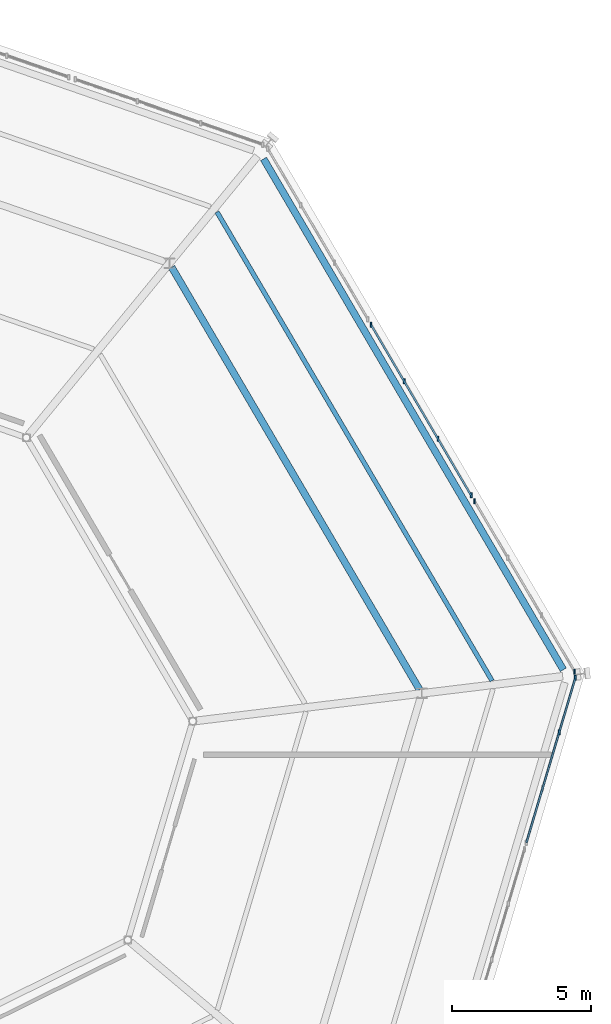
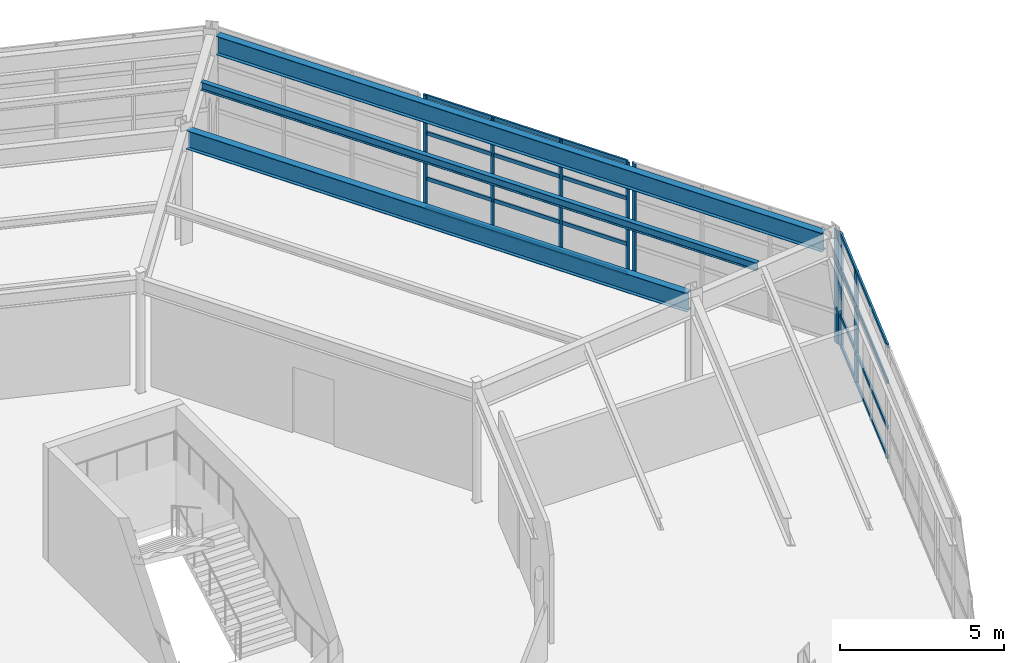
# One storey, part 47 of 88: 16 members, 3 beams, 3 elements without a shape of their own.
"""IFC4 building model written with IfcOpenShell, lengths in metres."""

from ifc_helpers import new_model, si_unit, direction, frame, origin, origin_2d, place, context, subcontext, project, spatial, rectangle, i_section, extrude, material, material_profile, profile_set, type_object, element, aggregate, save


model = new_model("IFC4")

# Units and contexts
model_context = context("Model", 3, precision=1e-05, world=origin(), true_north=direction((0.0, 1.0)))
body_context = subcontext(model_context, "Body", "Model", "MODEL_VIEW")
ifc_project = project(units=[si_unit("LENGTHUNIT", "METRE"), si_unit("AREAUNIT", "SQUARE_METRE"), si_unit("VOLUMEUNIT", "CUBIC_METRE"), si_unit("PLANEANGLEUNIT", "RADIAN"), si_unit("MASSUNIT", "GRAM", prefix="KILO")], contexts=[model_context])

# Site, building, storey
site_placement = place(None, origin())
site = spatial("IfcSite", under=ifc_project, at=site_placement, CompositionType="ELEMENT")
building_placement = place(site_placement, origin())
building = spatial("IfcBuilding", under=site, at=building_placement, Name="Sarnbrook Museum", CompositionType="ELEMENT")
storey_placement = place(building_placement, frame((0.0, 0.0, 10.10009765625)))
storey = spatial("IfcBuildingStorey", under=building, at=storey_placement, Name="L02", CompositionType="ELEMENT", Elevation=10.10009765625)

# Beams
ifc_material_1 = material(Name="Structural Steel Grade 350L0 (AS/NZS 3678, fy = 340 MPa for 20 < t <= 40 mm)", Category="steel")
ifc_material_profile_1 = material_profile(ifc_material_1, i_section(OverallWidth=0.25, OverallDepth=0.699951171875, WebThickness=0.010009765625, FlangeThickness=0.01611328125, at=origin_2d()), Name="700WB130")
ifc_profile_set_1 = profile_set([ifc_material_profile_1], Name="Structural Steel Grade 350L0 (AS/NZS 3678, fy = 340 MPa for 20 < t <= 40 mm)")
beam_type_1 = type_object("IfcBeamType", Name="BM-WB700", PredefinedType="BEAM", material=ifc_profile_set_1)
beam_1_placement = place(storey_placement, frame((167.691162109375, 88.059814453125, 3.889892578125), z_axis=(-0.506066405953, 0.862494517528, 0.0), x_axis=(-0.862494517528, -0.506066405953, 0.0)))
element("IfcBeam", 1, at=beam_1_placement, inside=storey, type_object=beam_type_1, Name="Crystal Hall Perimeter Ring Girder 4 L02", PredefinedType="BEAM", context=body_context, shape_type="SweptSolid", body=[
    extrude(i_section(OverallWidth=0.25, OverallDepth=0.699951171875, WebThickness=0.010009765625, FlangeThickness=0.01611328125, at=origin_2d()), origin(), (0.0, 0.0, 1.0), 21.273681640625),
])
beam_2_placement = place(storey_placement, frame((162.52587890625, 87.348388671875, 3.889892578125), z_axis=(-0.506057154474, 0.862499945743, 0.0), x_axis=(-0.862499945743, -0.506057154474, 0.0)))
element("IfcBeam", 2, at=beam_2_placement, inside=storey, type_object=beam_type_1, Name="Crystal Hall R1 Ring Girder 4 L02", PredefinedType="BEAM", context=body_context, shape_type="SweptSolid", body=[
    extrude(i_section(OverallWidth=0.25, OverallDepth=0.699951171875, WebThickness=0.010009765625, FlangeThickness=0.01611328125, at=origin_2d()), origin(), (0.0, 0.0, 1.0), 17.589111328125),
])

# Curtain wall, members
ifc_material_2 = material(Name="Thermally Broken Anodised Aluminium 6063-T6", Category="aluminium")
curtain_wall_type = type_object("IfcCurtainWallType", Name="CurtainWall_CrystalFacet", PredefinedType="NOTDEFINED", material=ifc_material_2)
curtain_wall_1_placement = place(storey_placement, origin())
curtain_wall_1 = element("IfcCurtainWall", 3, at=curtain_wall_1_placement, inside=storey, type_object=curtain_wall_type, Name="Crystal Hall Facet Curtain Wall L02-F3.3", PredefinedType="NOTDEFINED")
ifc_material_profile_2 = material_profile(ifc_material_2, rectangle(XDim=0.06494140625, YDim=0.179931640625, at=origin_2d()), Name="ALU MULLION 65x180")
ifc_profile_set_2 = profile_set([ifc_material_profile_2], Name="Thermally Broken Anodised Aluminium 6063-T6")
member_type_1 = type_object("IfcMemberType", Name="CW_Mullion_180x75", PredefinedType="MULLION", material=ifc_profile_set_2)
member_1_placement = place(storey_placement, frame((167.5400390625, 85.80712890625, 0.0), z_axis=(0.0, 0.0, 1.0), x_axis=(1.0, 0.0, 0.0)))
member_1 = element("IfcMember", 4, at=member_1_placement, type_object=member_type_1, Name="Crystal Hall Facet Curtain Wall L02-F3.3 Mullion 3", PredefinedType="MULLION", context=body_context, shape_type="SweptSolid", body=[
    extrude(rectangle(XDim=0.06494140625, YDim=0.179931640625, at=origin_2d()), origin(), (0.0, 0.0, 1.0), 4.239990234375),
])
member_2_placement = place(storey_placement, frame((168.122802734375, 87.770263671875, 0.0), z_axis=(0.0, 0.0, 1.0), x_axis=(1.0, 0.0, 0.0)))
member_2 = element("IfcMember", 5, at=member_2_placement, type_object=member_type_1, Name="Crystal Hall Facet Curtain Wall L02-F3.3 Mullion 4", PredefinedType="MULLION", context=body_context, shape_type="SweptSolid", body=[
    extrude(rectangle(XDim=0.06494140625, YDim=0.179931640625, at=origin_2d()), origin(), (0.0, 0.0, 1.0), 4.239990234375),
])

curtain_wall_2_placement = place(storey_placement, origin())
curtain_wall_2 = element("IfcCurtainWall", 6, at=curtain_wall_2_placement, inside=storey, type_object=curtain_wall_type, Name="Crystal Hall Facet Curtain Wall L02-F4.1", PredefinedType="NOTDEFINED")
member_3_placement = place(storey_placement, frame((168.09619140625, 87.98876953125, 0.0), z_axis=(0.0, 0.0, 1.0), x_axis=(1.0, 0.0, 0.0)))
member_3 = element("IfcMember", 7, at=member_3_placement, type_object=member_type_1, Name="Crystal Hall Facet Curtain Wall L02-F4.1 Mullion 1", PredefinedType="MULLION", context=body_context, shape_type="SweptSolid", body=[
    extrude(rectangle(XDim=0.06494140625, YDim=0.179931640625, at=origin_2d()), origin(), (0.0, 0.0, 1.0), 4.239990234375),
])
member_4_placement = place(storey_placement, frame((164.502197265625, 94.114013671875, 0.0), z_axis=(0.0, 0.0, 1.0), x_axis=(1.0, 0.0, 0.0)))
member_4 = element("IfcMember", 8, at=member_4_placement, type_object=member_type_1, Name="Crystal Hall Facet Curtain Wall L02-F4.1 Mullion 4", PredefinedType="MULLION", context=body_context, shape_type="SweptSolid", body=[
    extrude(rectangle(XDim=0.06494140625, YDim=0.179931640625, at=origin_2d()), origin(), (0.0, 0.0, 1.0), 4.239990234375),
])
aggregate(curtain_wall_2, [member_3, member_4])

curtain_wall_3_placement = place(storey_placement, origin())
curtain_wall_3 = element("IfcCurtainWall", 9, at=curtain_wall_3_placement, inside=storey, type_object=curtain_wall_type, Name="Crystal Hall Facet Curtain Wall L02-F4.2", PredefinedType="NOTDEFINED")
member_5_placement = place(storey_placement, frame((164.380859375, 94.321044921875, 0.0), z_axis=(0.0, 0.0, 1.0), x_axis=(1.0, 0.0, 0.0)))
member_5 = element("IfcMember", 10, at=member_5_placement, type_object=member_type_1, Name="Crystal Hall Facet Curtain Wall L02-F4.2 Mullion 1", PredefinedType="MULLION", context=body_context, shape_type="SweptSolid", body=[
    extrude(rectangle(XDim=0.06494140625, YDim=0.179931640625, at=origin_2d()), origin(), (0.0, 0.0, 1.0), 4.239990234375),
])
member_6_placement = place(storey_placement, frame((163.189697265625, 96.351318359375, 0.0), z_axis=(0.0, 0.0, 1.0), x_axis=(1.0, 0.0, 0.0)))
member_6 = element("IfcMember", 11, at=member_6_placement, type_object=member_type_1, Name="Crystal Hall Facet Curtain Wall L02-F4.2 Mullion 2", PredefinedType="MULLION", context=body_context, shape_type="SweptSolid", body=[
    extrude(rectangle(XDim=0.06494140625, YDim=0.179931640625, at=origin_2d()), origin(), (0.0, 0.0, 1.0), 4.239990234375),
])
member_7_placement = place(storey_placement, frame((161.97802734375, 98.416015625, 0.0), z_axis=(0.0, 0.0, 1.0), x_axis=(1.0, 0.0, 0.0)))
member_7 = element("IfcMember", 12, at=member_7_placement, type_object=member_type_1, Name="Crystal Hall Facet Curtain Wall L02-F4.2 Mullion 3", PredefinedType="MULLION", context=body_context, shape_type="SweptSolid", body=[
    extrude(rectangle(XDim=0.06494140625, YDim=0.179931640625, at=origin_2d()), origin(), (0.0, 0.0, 1.0), 4.239990234375),
])
member_8_placement = place(storey_placement, frame((160.786865234375, 100.4462890625, 0.0), z_axis=(0.0, 0.0, 1.0), x_axis=(1.0, 0.0, 0.0)))
member_8 = element("IfcMember", 13, at=member_8_placement, type_object=member_type_1, Name="Crystal Hall Facet Curtain Wall L02-F4.2 Mullion 4", PredefinedType="MULLION", context=body_context, shape_type="SweptSolid", body=[
    extrude(rectangle(XDim=0.06494140625, YDim=0.179931640625, at=origin_2d()), origin(), (0.0, 0.0, 1.0), 4.239990234375),
])

# Member
ifc_material_profile_3 = material_profile(ifc_material_2, rectangle(XDim=0.06494140625, YDim=0.139892578125, at=origin_2d()), Name="ALU TRANSOM 65x140")
ifc_profile_set_3 = profile_set([ifc_material_profile_3], Name="Thermally Broken Anodised Aluminium 6063-T6")
member_type_2 = type_object("IfcMemberType", Name="CW_Transom_150x65", PredefinedType="USERDEFINED", material=ifc_profile_set_3)
member_9_placement = place(storey_placement, frame((166.36572265625, 81.852294921875, 0.039794921875), z_axis=(0.284610233245, 0.958643320079, 0.0), x_axis=(-0.958643320079, 0.284610233245, 0.0)))
member_9 = element("IfcMember", 14, at=member_9_placement, type_object=member_type_2, Name="Crystal Hall Facet Curtain Wall L02-F3.3 Transom 1", ObjectType="TRANSOM", PredefinedType="USERDEFINED", context=body_context, shape_type="SweptSolid", body=[
    extrude(rectangle(XDim=0.06494140625, YDim=0.139892578125, at=origin_2d()), origin(), (0.0, 0.0, 1.0), 6.163330078125),
])

member_10_placement = place(storey_placement, frame((166.36572265625, 81.852294921875, 1.14990234375), z_axis=(0.284610233245, 0.958643320079, 0.0), x_axis=(-0.958643320079, 0.284610233245, 0.0)))
member_10 = element("IfcMember", 15, at=member_10_placement, type_object=member_type_2, Name="Crystal Hall Facet Curtain Wall L02-F3.3 Transom 2", ObjectType="TRANSOM", PredefinedType="USERDEFINED", context=body_context, shape_type="SweptSolid", body=[
    extrude(rectangle(XDim=0.06494140625, YDim=0.139892578125, at=origin_2d()), origin(), (0.0, 0.0, 1.0), 6.163330078125),
])

member_11_placement = place(storey_placement, frame((166.36572265625, 81.852294921875, 2.849853515625), z_axis=(0.284610233245, 0.958643320079, 0.0), x_axis=(-0.958643320079, 0.284610233245, 0.0)))
member_11 = element("IfcMember", 16, at=member_11_placement, type_object=member_type_2, Name="Crystal Hall Facet Curtain Wall L02-F3.3 Transom 3", ObjectType="TRANSOM", PredefinedType="USERDEFINED", context=body_context, shape_type="SweptSolid", body=[
    extrude(rectangle(XDim=0.06494140625, YDim=0.139892578125, at=origin_2d()), origin(), (0.0, 0.0, 1.0), 6.163330078125),
])

member_12_placement = place(storey_placement, frame((166.36572265625, 81.852294921875, 4.199951171875), z_axis=(0.284610233245, 0.958643320079, 0.0), x_axis=(-0.958643320079, 0.284610233245, 0.0)))
member_12 = element("IfcMember", 17, at=member_12_placement, type_object=member_type_2, Name="Crystal Hall Facet Curtain Wall L02-F3.3 Transom 4", ObjectType="TRANSOM", PredefinedType="USERDEFINED", context=body_context, shape_type="SweptSolid", body=[
    extrude(rectangle(XDim=0.06494140625, YDim=0.139892578125, at=origin_2d()), origin(), (0.0, 0.0, 1.0), 6.163330078125),
])

aggregate(curtain_wall_1, [member_1, member_2, member_9, member_10, member_11, member_12])

member_13_placement = place(storey_placement, frame((164.375732421875, 94.32958984375, 0.039794921875), z_axis=(-0.506060092651, 0.86249822181, 0.0), x_axis=(-0.86249822181, -0.506060092651, 0.0)))
member_13 = element("IfcMember", 18, at=member_13_placement, type_object=member_type_2, Name="Crystal Hall Facet Curtain Wall L02-F4.2 Transom 1", ObjectType="TRANSOM", PredefinedType="USERDEFINED", context=body_context, shape_type="SweptSolid", body=[
    extrude(rectangle(XDim=0.06494140625, YDim=0.139892578125, at=origin_2d()), origin(), (0.0, 0.0, 1.0), 7.08154296875),
])

member_14_placement = place(storey_placement, frame((164.375732421875, 94.32958984375, 1.14990234375), z_axis=(-0.506060092651, 0.86249822181, 0.0), x_axis=(-0.86249822181, -0.506060092651, 0.0)))
member_14 = element("IfcMember", 19, at=member_14_placement, type_object=member_type_2, Name="Crystal Hall Facet Curtain Wall L02-F4.2 Transom 2", ObjectType="TRANSOM", PredefinedType="USERDEFINED", context=body_context, shape_type="SweptSolid", body=[
    extrude(rectangle(XDim=0.06494140625, YDim=0.139892578125, at=origin_2d()), origin(), (0.0, 0.0, 1.0), 7.08154296875),
])

member_15_placement = place(storey_placement, frame((164.375732421875, 94.32958984375, 2.849853515625), z_axis=(-0.506060092651, 0.86249822181, 0.0), x_axis=(-0.86249822181, -0.506060092651, 0.0)))
member_15 = element("IfcMember", 20, at=member_15_placement, type_object=member_type_2, Name="Crystal Hall Facet Curtain Wall L02-F4.2 Transom 3", ObjectType="TRANSOM", PredefinedType="USERDEFINED", context=body_context, shape_type="SweptSolid", body=[
    extrude(rectangle(XDim=0.06494140625, YDim=0.139892578125, at=origin_2d()), origin(), (0.0, 0.0, 1.0), 7.08154296875),
])

member_16_placement = place(storey_placement, frame((164.375732421875, 94.32958984375, 4.199951171875), z_axis=(-0.506060092651, 0.86249822181, 0.0), x_axis=(-0.86249822181, -0.506060092651, 0.0)))
member_16 = element("IfcMember", 21, at=member_16_placement, type_object=member_type_2, Name="Crystal Hall Facet Curtain Wall L02-F4.2 Transom 4", ObjectType="TRANSOM", PredefinedType="USERDEFINED", context=body_context, shape_type="SweptSolid", body=[
    extrude(rectangle(XDim=0.06494140625, YDim=0.139892578125, at=origin_2d()), origin(), (0.0, 0.0, 1.0), 7.08154296875),
])

aggregate(curtain_wall_3, [member_5, member_6, member_7, member_8, member_13, member_14, member_15, member_16])

# Beam
ifc_material_3 = material(Name="Structural Steel Grade 300PLUS (AS/NZS 3679.1, fy = 280 MPa for 17 < t <= 40 mm, 300 MPa for t <= 17 mm)", Category="steel")
ifc_material_profile_4 = material_profile(ifc_material_3, i_section(OverallWidth=0.1650390625, OverallDepth=0.303955078125, WebThickness=0.006103515625, FlangeThickness=0.01025390625, FilletRadius=0.011474609375, at=origin_2d()), Name="310UB40.4")
ifc_profile_set_4 = profile_set([ifc_material_profile_4], Name="Structural Steel Grade 300PLUS (AS/NZS 3679.1, fy = 280 MPa for 17 < t <= 40 mm, 300 MPa for t <= 17 mm)")
beam_type_2 = type_object("IfcBeamType", Name="JS-UB310", PredefinedType="JOIST", material=ifc_profile_set_4)
beam_3_placement = place(storey_placement, frame((165.13134765625, 87.665283203125, 4.087890625), z_axis=(-0.506066092767, 0.862494701289, 0.0), x_axis=(-0.862494701289, -0.506066092767, 0.0)))
element("IfcBeam", 22, at=beam_3_placement, inside=storey, type_object=beam_type_2, Name="Crystal Hall Tangential Joist MO-4 L02", PredefinedType="JOIST", context=body_context, shape_type="SweptSolid", body=[
    extrude(i_section(OverallWidth=0.1650390625, OverallDepth=0.303955078125, WebThickness=0.006103515625, FlangeThickness=0.01025390625, FilletRadius=0.011474609375, at=origin_2d()), origin(), (0.0, 0.0, 1.0), 19.521484375),
])

save(model, "model.ifc")
